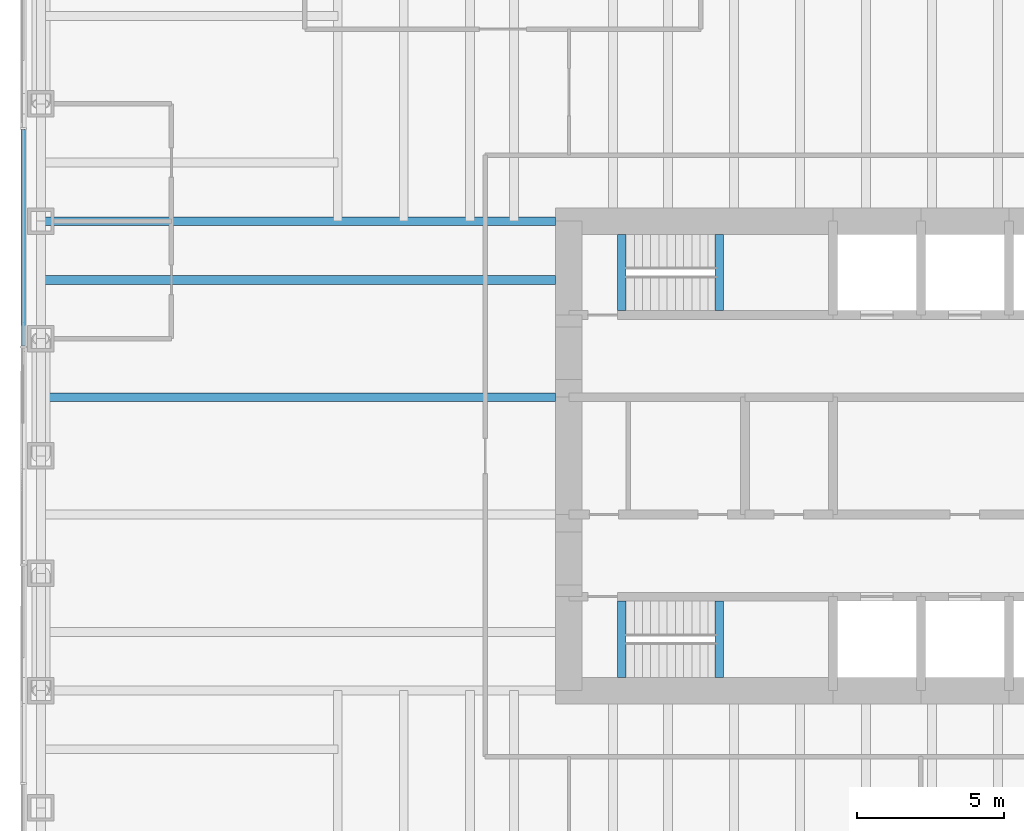
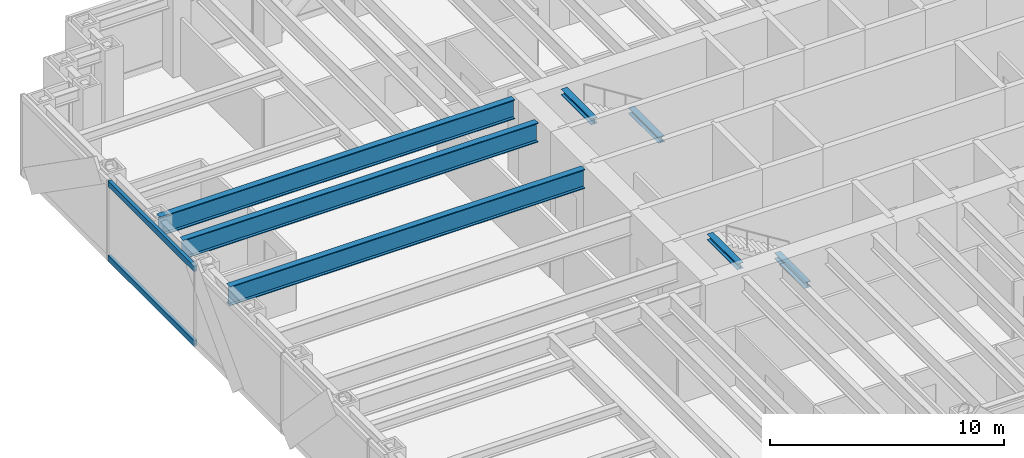
# One storey, part 3 of 15: 7 beams, 2 members, 1 element without a shape of its own.
"""IFC4 building model written with IfcOpenShell, lengths in metres."""

from ifc_helpers import new_model, si_unit, direction, frame, origin, origin_2d, place, context, subcontext, project, spatial, rectangle, i_section, extrude, material, material_profile, profile_set, type_object, element, aggregate, save


model = new_model("IFC4")

# Units and contexts
model_context = context("Model", 3, precision=1e-05, world=origin(), true_north=direction((0.0, 1.0)))
body_context = subcontext(model_context, "Body", "Model", "MODEL_VIEW")
ifc_project = project(units=[si_unit("LENGTHUNIT", "METRE"), si_unit("AREAUNIT", "SQUARE_METRE"), si_unit("VOLUMEUNIT", "CUBIC_METRE"), si_unit("PLANEANGLEUNIT", "RADIAN"), si_unit("MASSUNIT", "GRAM", prefix="KILO")], contexts=[model_context])

# Site, building, storey
site_placement = place(None, origin())
site = spatial("IfcSite", under=ifc_project, at=site_placement, CompositionType="ELEMENT")
building_placement = place(site_placement, origin())
building = spatial("IfcBuilding", under=site, at=building_placement, Name="Rheinbord Bourse Tower", CompositionType="ELEMENT")
storey_placement = place(building_placement, frame((0.0, 0.0, 104.699951171875)))
storey = spatial("IfcBuildingStorey", under=building, at=storey_placement, Name="L22", CompositionType="ELEMENT", Elevation=104.699951171875)

# Curtain wall, members
ifc_material_1 = material(Name="Dark glass and black aluminium", Category="aluminium")
curtain_wall_type = type_object("IfcCurtainWallType", Name="CW2 DARK GLASS CURTAIN WALL", PredefinedType="USERDEFINED", material=ifc_material_1)
curtain_wall_placement = place(storey_placement, origin())
curtain_wall = element("IfcCurtainWall", 1, at=curtain_wall_placement, inside=storey, type_object=curtain_wall_type, Name="Curtain wall CW2 W L22", ObjectType="UNITISED CURTAIN WALL", PredefinedType="USERDEFINED")
ifc_material_2 = material(Name="Black anodised aluminium", Category="aluminium")
ifc_material_profile_1 = material_profile(ifc_material_2, rectangle(XDim=0.159912109375, YDim=0.300048828125, at=origin_2d()), Name="CW2 TRANSOM 300x160")
ifc_profile_set_1 = profile_set([ifc_material_profile_1], Name="Black anodised aluminium")
member_type = type_object("IfcMemberType", Name="CW2 BLACK TRANSOM", PredefinedType="USERDEFINED", material=ifc_profile_set_1)
member_1_placement = place(storey_placement, frame((-0.60009765625, 35.125, 0.150146484375), z_axis=(0.0, -1.0, 0.0), x_axis=(1.0, 0.0, 0.0)))
member_1 = element("IfcMember", 2, at=member_1_placement, type_object=member_type, Name="CW2 transom 2.1", ObjectType="TRANSOM", PredefinedType="USERDEFINED", context=body_context, shape_type="SweptSolid", body=[
    extrude(rectangle(XDim=0.159912109375, YDim=0.300048828125, at=origin_2d()), origin(), (0.0, 0.0, 1.0), 7.3701171875),
])
member_2_placement = place(storey_placement, frame((-0.60009765625, 35.125, 4.050048828125), z_axis=(0.0, -1.0, 0.0), x_axis=(1.0, 0.0, 0.0)))
member_2 = element("IfcMember", 3, at=member_2_placement, type_object=member_type, Name="CW2 transom 2.2", ObjectType="TRANSOM", PredefinedType="USERDEFINED", context=body_context, shape_type="SweptSolid", body=[
    extrude(rectangle(XDim=0.159912109375, YDim=0.300048828125, at=origin_2d()), origin(), (0.0, 0.0, 1.0), 7.3701171875),
])
aggregate(curtain_wall, [member_1, member_2])

# Beams
ifc_material_3 = material(Name="Steel S460", Category="steel")
ifc_material_profile_2 = material_profile(ifc_material_3, i_section(OverallWidth=0.302001953125, OverallDepth=1.008056640625, WebThickness=0.02099609375, FlangeThickness=0.0400390625, at=origin_2d()), Name="HEM 1000")
ifc_profile_set_2 = profile_set([ifc_material_profile_2], Name="Steel S460")
beam_type_1 = type_object("IfcBeamType", Name="END BEAM HEM 1000", PredefinedType="BEAM", material=ifc_profile_set_2)
for number, where, z_axis, x_axis, name in (
    (4, (0.0, 26.0, 3.5361328125), (1.0, 0.0, 0.0), (0.0, 1.0, 0.0), "End beam west 26 L23"),
    (5, (0.0, 30.0, 3.5361328125), (1.0, 0.0, 0.0), (0.0, 1.0, 0.0), "End beam west 30 L23"),
):
    element("IfcBeam", number, at=place(storey_placement, frame(where, z_axis=z_axis, x_axis=x_axis)), inside=storey, type_object=beam_type_1, Name=name, PredefinedType="BEAM", context=body_context, shape_type="SweptSolid", body=[
        extrude(i_section(OverallWidth=0.302001953125, OverallDepth=1.008056640625, WebThickness=0.02099609375, FlangeThickness=0.0400390625, at=origin_2d()), origin(), (0.0, 0.0, 1.0), 17.550048828125),
    ])
ifc_material_4 = material(Name="Steel S460", Category="steel")
ifc_material_profile_3 = material_profile(ifc_material_4, i_section(OverallWidth=0.302001953125, OverallDepth=1.008056640625, WebThickness=0.02099609375, FlangeThickness=0.0400390625, at=origin_2d()), Name="HEM 1000")
ifc_profile_set_3 = profile_set([ifc_material_profile_3], Name="Steel S460")
beam_type_2 = type_object("IfcBeamType", Name="GIRDER HEM 1000", PredefinedType="BEAM", material=ifc_profile_set_3)
beam_placement = place(storey_placement, frame((0.0, 32.0, 3.5361328125), z_axis=(1.0, 0.0, 0.0), x_axis=(0.0, 1.0, 0.0)))
element("IfcBeam", 6, at=beam_placement, inside=storey, type_object=beam_type_2, Name="Girder west 32 L23", PredefinedType="BEAM", context=body_context, shape_type="SweptSolid", body=[
    extrude(i_section(OverallWidth=0.302001953125, OverallDepth=1.008056640625, WebThickness=0.02099609375, FlangeThickness=0.0400390625, at=origin_2d()), origin(), (0.0, 0.0, 1.0), 17.550048828125),
])
ifc_material_5 = material(Name="Steel S460", Category="steel")
ifc_material_profile_4 = material_profile(ifc_material_5, i_section(OverallWidth=0.300048828125, OverallDepth=0.300048828125, WebThickness=0.010986328125, FlangeThickness=0.01904296875, at=origin_2d()), Name="HEB 300")
ifc_profile_set_4 = profile_set([ifc_material_profile_4], Name="Steel S460")
beam_type_3 = type_object("IfcBeamType", Name="LANDING TRIMMER HEB 300", PredefinedType="BEAM", material=ifc_profile_set_4)
for number, where, z_axis, x_axis, name in (
    (7, (23.1298828125, 16.449951171875, 1.75), (0.0, 1.0, 0.0), (-1.0, 0.0, 0.0), "Landing trimmer ST1 L22"),
    (8, (19.800048828125, 16.449951171875, 3.89013671875), (0.0, 1.0, 0.0), (-1.0, 0.0, 0.0), "Well trimmer ST1 under L23"),
    (9, (23.1298828125, 28.949951171875, 1.75), (0.0, 1.0, 0.0), (-1.0, 0.0, 0.0), "Landing trimmer ST2 L22"),
    (10, (19.800048828125, 28.949951171875, 3.89013671875), (0.0, 1.0, 0.0), (-1.0, 0.0, 0.0), "Well trimmer ST2 under L23"),
):
    element("IfcBeam", number, at=place(storey_placement, frame(where, z_axis=z_axis, x_axis=x_axis)), inside=storey, type_object=beam_type_3, Name=name, PredefinedType="BEAM", context=body_context, shape_type="SweptSolid", body=[
        extrude(i_section(OverallWidth=0.300048828125, OverallDepth=0.300048828125, WebThickness=0.010986328125, FlangeThickness=0.01904296875, at=origin_2d()), origin(), (0.0, 0.0, 1.0), 2.60009765625),
    ])

save(model, "model.ifc")
